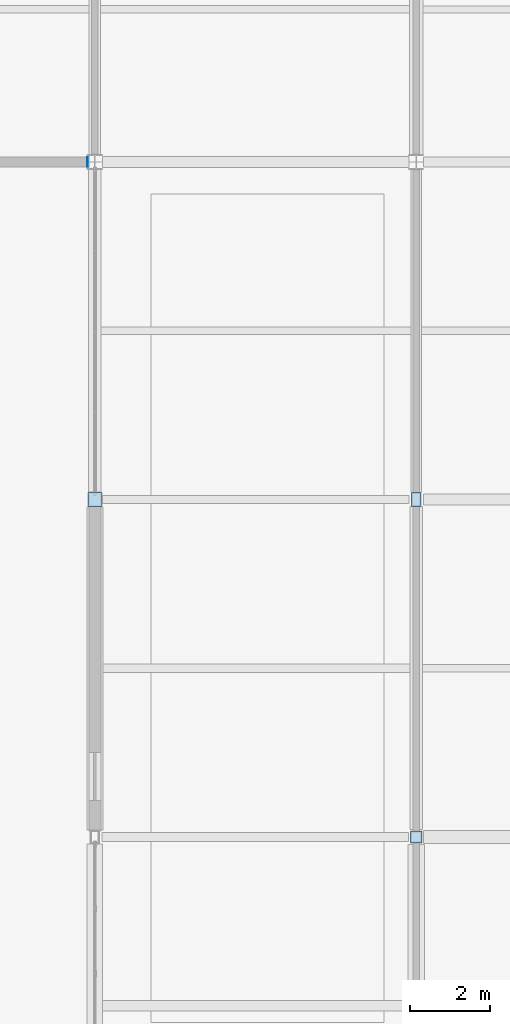
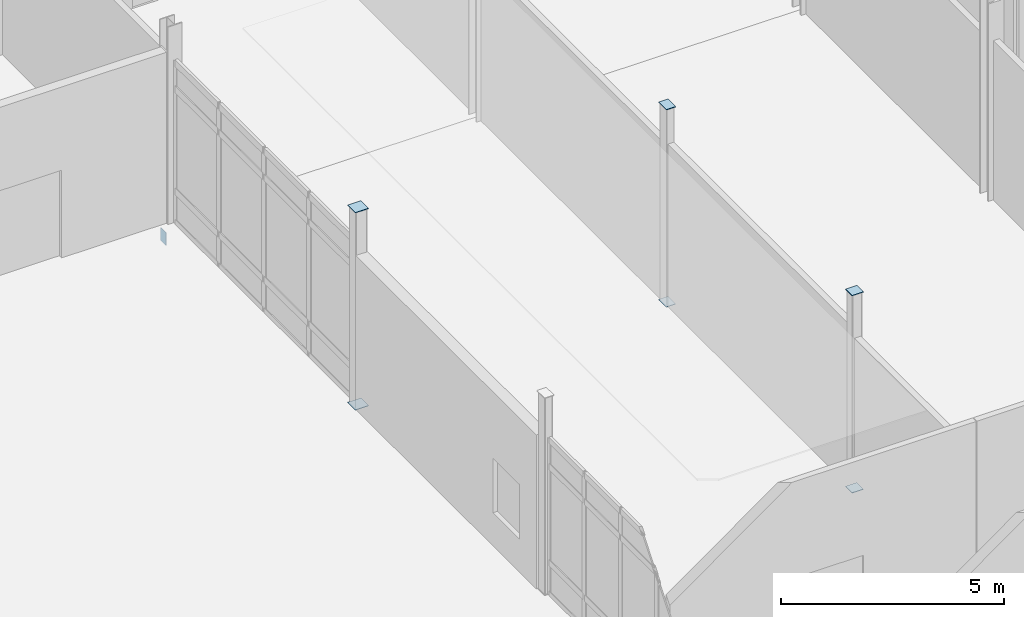
# One storey, part 170 of 229: 7 plates.
"""IFC4 building model written with IfcOpenShell, lengths in metres."""

from ifc_helpers import new_model, si_unit, direction, frame, origin, origin_2d, place, context, subcontext, project, spatial, rectangle, extrude, material, layer, layer_set, type_object, element, save


model = new_model("IFC4")

# Units and contexts
model_context = context("Model", 3, precision=1e-05, world=origin(), true_north=direction((0.0, 1.0)))
body_context = subcontext(model_context, "Body", "Model", "MODEL_VIEW")
ifc_project = project(units=[si_unit("LENGTHUNIT", "METRE"), si_unit("AREAUNIT", "SQUARE_METRE"), si_unit("VOLUMEUNIT", "CUBIC_METRE"), si_unit("PLANEANGLEUNIT", "RADIAN"), si_unit("MASSUNIT", "GRAM", prefix="KILO")], contexts=[model_context])

# Site, building, storey
site_placement = place(None, origin())
site = spatial("IfcSite", under=ifc_project, at=site_placement, CompositionType="ELEMENT")
building_placement = place(site_placement, origin())
building = spatial("IfcBuilding", under=site, at=building_placement, Name="Calvrana Isthmian Art Gallery", CompositionType="ELEMENT")
storey_placement = place(building_placement, origin())
storey = spatial("IfcBuildingStorey", under=building, at=storey_placement, Name="L00", CompositionType="ELEMENT", Elevation=0.0)

# Plates
ifc_material = material(Name="Steel ASTM A572 Gr 50", Category="steel")
ifc_layer = layer(ifc_material, 0.01611328125, Name="Steel ASTM A572 Gr 50")
ifc_layer_set = layer_set([ifc_layer], Name="Steel ASTM A572 Gr 50")
plate_type = type_object("IfcPlateType", Name="PL-CAP-16", PredefinedType="SHEET", material=ifc_layer_set)
for number, where, z_axis, x_axis, name in (
    (1, (96.39990234375, 38.39990234375, -0.008056640625), (0.0, 0.0, 1.0), (1.0, 0.0, 0.0), "Hollow section end cap plate 221"),
    (2, (96.39990234375, 38.39990234375, 5.391845703125), (0.0, 0.0, 1.0), (1.0, 0.0, 0.0), "Hollow section end cap plate 222"),
):
    element("IfcPlate", number, at=place(storey_placement, frame(where, z_axis=z_axis, x_axis=x_axis)), inside=storey, type_object=plate_type, Name=name, PredefinedType="SHEET", context=body_context, shape_type="SweptSolid", body=[
        extrude(rectangle(XDim=0.3447265625, YDim=0.3447265625, at=origin_2d()), origin(), (0.0, 0.0, 1.0), 0.01611328125),
    ])
for number, where, z_axis, x_axis, name in (
    (3, (104.39990234375, 30.0, -0.008056640625), (0.0, 0.0, 1.0), (1.0, 0.0, 0.0), "Hollow section end cap plate 237"),
    (4, (104.39990234375, 30.0, 5.391845703125), (0.0, 0.0, 1.0), (1.0, 0.0, 0.0), "Hollow section end cap plate 238"),
):
    element("IfcPlate", number, at=place(storey_placement, frame(where, z_axis=z_axis, x_axis=x_axis)), inside=storey, type_object=plate_type, Name=name, PredefinedType="SHEET", context=body_context, shape_type="SweptSolid", body=[
        extrude(rectangle(XDim=0.2939453125, YDim=0.2939453125, at=origin_2d()), origin(), (0.0, 0.0, 1.0), 0.01611328125),
    ])
for number, where, z_axis, x_axis, name in (
    (5, (104.39990234375, 38.39990234375, -0.008056640625), (0.0, 0.0, 1.0), (1.0, 0.0, 0.0), "Hollow section end cap plate 239"),
    (6, (104.39990234375, 38.39990234375, 5.391845703125), (0.0, 0.0, 1.0), (1.0, 0.0, 0.0), "Hollow section end cap plate 240"),
):
    element("IfcPlate", number, at=place(storey_placement, frame(where, z_axis=z_axis, x_axis=x_axis)), inside=storey, type_object=plate_type, Name=name, PredefinedType="SHEET", context=body_context, shape_type="SweptSolid", body=[
        extrude(rectangle(XDim=0.2431640625, YDim=0.3447265625, at=origin_2d()), origin(), (0.0, 0.0, 1.0), 0.01611328125),
    ])
plate_placement = place(storey_placement, frame((96.21337890625, 46.800048828125, -0.60986328125), z_axis=(0.0, 0.0, 1.0), x_axis=(1.0, 0.0, 0.0)))
element("IfcPlate", 7, at=plate_placement, inside=storey, type_object=plate_type, Name="Hollow section end cap plate 388", PredefinedType="SHEET", context=body_context, shape_type="SweptSolid", body=[
    extrude(rectangle(XDim=0.01611328125, YDim=0.2431640625, at=origin_2d()), origin(), (0.0, 0.0, 1.0), 0.3447265625),
])

save(model, "model.ifc")
